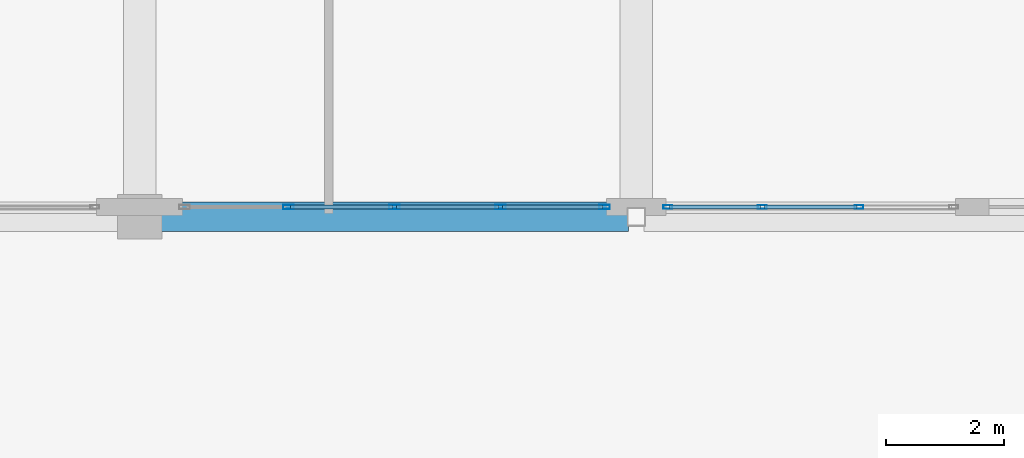
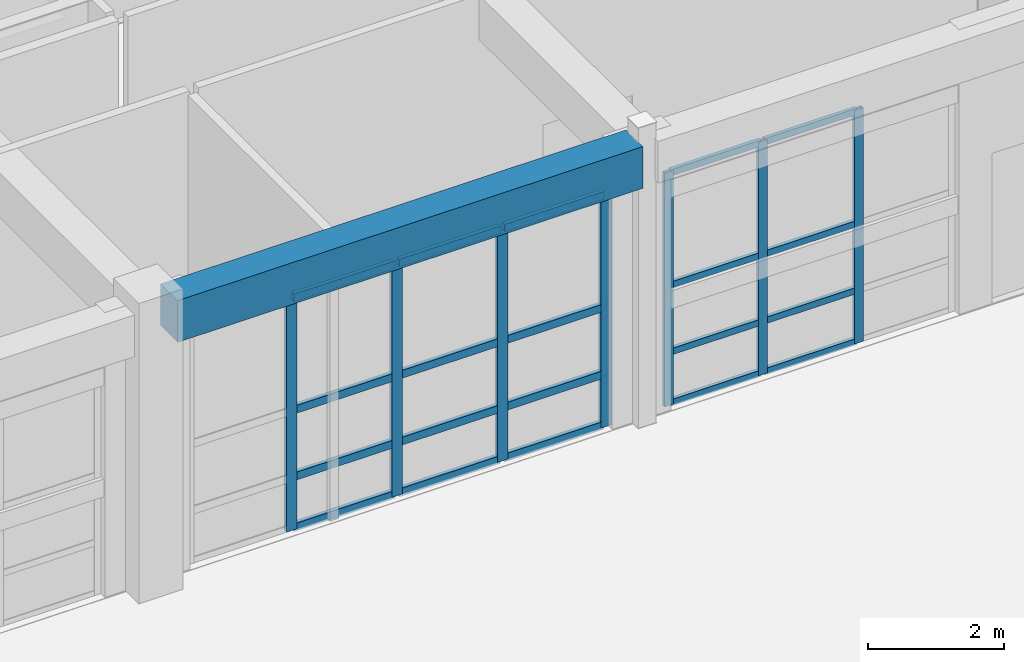
# One storey, part 98 of 148: 27 members, 1 beam, 2 elements without a shape of their own.
"""IFC4 building model written with IfcOpenShell, lengths in metres."""

import ifcopenshell
import ifcopenshell.guid

model = None  # the IFC model being written
_history = None  # IfcOwnerHistory: only IFC2X3 demands one
_inside = {}  # id of a spatial element -> (the spatial element, [elements in it])
_under = {}  # id of a project, library or spatial element -> (it, [spatial elements below it])
_declared = {}  # id of a project -> (the project, [libraries it declares])
_typed = {}  # id of a type object -> (the type object, [elements of that type])
_made_of = {}  # id of a material, layer set ... -> (it, [elements and type objects made of it])


def new_model(schema):
    """Start an empty IFC model of exactly this schema.

    Asked for "IFC4X3", IfcOpenShell would pick the latest addendum, in which some entities
    have other attributes; the version numbers below select the first issue.
    IFC2X3 requires an IfcOwnerHistory on every rooted entity: one is made here for all.
    """
    global model, _history
    if schema == "IFC4X3":
        model = ifcopenshell.file(schema_version=(4, 3, 0, 0))
    else:
        model = ifcopenshell.file(schema=schema)
    _inside.clear()
    _under.clear()
    _declared.clear()
    _typed.clear()
    _made_of.clear()
    _history = None
    if model.schema == "IFC2X3":
        org = make("IfcOrganization", Name="unknown")
        user = make(
            "IfcPersonAndOrganization",
            ThePerson=make("IfcPerson", FamilyName="unknown"),
            TheOrganization=org,
        )
        app = make(
            "IfcApplication",
            ApplicationDeveloper=org,
            Version="unknown",
            ApplicationFullName="unknown",
            ApplicationIdentifier="unknown",
        )
        _history = make(
            "IfcOwnerHistory",
            OwningUser=user,
            OwningApplication=app,
            ChangeAction="ADDED",
            CreationDate=0,
        )
    return model


def make(cls, **values):
    """One entity of the class cls with the attributes given. An attribute that is None is left unset."""
    return model.create_entity(
        cls, **{name: value for name, value in values.items() if value is not None}
    )


def rooted(cls, **values):
    """An entity with a GlobalId (a new one), such as an element, a storey or a relation."""
    return make(cls, GlobalId=ifcopenshell.guid.new(), OwnerHistory=_history, **values)


def si_unit(unit_type, name, prefix=None):
    """IfcSIUnit, for example si_unit("LENGTHUNIT", "METRE", prefix="MILLI")."""
    return make("IfcSIUnit", UnitType=unit_type, Prefix=prefix, Name=name)


def assignment(units):
    """IfcUnitAssignment: the units of a project."""
    return None if units is None else make("IfcUnitAssignment", Units=units)


def point(xyz):
    """IfcCartesianPoint."""
    return None if xyz is None else make("IfcCartesianPoint", Coordinates=xyz)


def direction(xyz):
    """IfcDirection."""
    return None if xyz is None else make("IfcDirection", DirectionRatios=xyz)


def frame(location, z_axis=None, x_axis=None):
    """IfcAxis2Placement3D, a coordinate frame: its origin and axes. An axis left out is left unset."""
    return make(
        "IfcAxis2Placement3D",
        Location=point(location),
        Axis=direction(z_axis),
        RefDirection=direction(x_axis),
    )


def frame_2d(location, x_axis=None):
    """IfcAxis2Placement2D, a coordinate frame in the plane: its origin and x axis."""
    return make(
        "IfcAxis2Placement2D", Location=point(location), RefDirection=direction(x_axis)
    )


def origin():
    """The frame at (0, 0, 0) with its axes left unset."""
    return frame((0.0, 0.0, 0.0))


def origin_2d():
    """The frame at (0, 0) in the plane with its x axis left unset."""
    return frame_2d((0.0, 0.0))


def place(relative_to, where):
    """IfcLocalPlacement: puts the frame where relative to a parent placement (None: the world)."""
    return make(
        "IfcLocalPlacement", PlacementRelTo=relative_to, RelativePlacement=where
    )


def context(
    kind, dimensions, precision=None, world=None, true_north=None, identifier=None
):
    """IfcGeometricRepresentationContext, for example the 3D "Model" context."""
    return make(
        "IfcGeometricRepresentationContext",
        ContextIdentifier=identifier,
        ContextType=kind,
        CoordinateSpaceDimension=dimensions,
        Precision=precision,
        WorldCoordinateSystem=world,
        TrueNorth=true_north,
    )


def subcontext(parent, identifier, kind, view, scale=None):
    """IfcGeometricRepresentationSubContext, for example "Body" below "Model"."""
    return make(
        "IfcGeometricRepresentationSubContext",
        ContextIdentifier=identifier,
        ContextType=kind,
        ParentContext=parent,
        TargetScale=scale,
        TargetView=view,
    )


def project(units=None, contexts=None):
    """IfcProject with its units and contexts."""
    return rooted(
        "IfcProject",
        Name="project",
        RepresentationContexts=contexts,
        UnitsInContext=assignment(units),
    )


def spatial(cls, under=None, at=None, **own):
    """A site, building, storey or space (cls), placed at a placement, below another one or the project."""
    s = rooted(cls, ObjectPlacement=at, **own)
    if under is not None:
        _under.setdefault(under.id(), (under, []))[1].append(s)
    return s


def profile(cls, at=None, kind="AREA", **sizes):
    """A parametric profile (cls). Its sizes go by their IFC names, for example OverallWidth=200.0."""
    return make(cls, ProfileType=kind, Position=at, **sizes)


def rectangle(**sizes):
    """IfcRectangleProfileDef."""
    return profile("IfcRectangleProfileDef", **sizes)


def hollow_rectangle(**sizes):
    """IfcRectangleHollowProfileDef."""
    return profile("IfcRectangleHollowProfileDef", **sizes)


def extrude(swept, where, along, depth):
    """IfcExtrudedAreaSolid: the profile swept, set in the frame where, extruded along a direction by depth."""
    return make(
        "IfcExtrudedAreaSolid",
        SweptArea=swept,
        Position=where,
        ExtrudedDirection=direction(along),
        Depth=depth,
    )


def shape(context_of_items, identifier, shape_type, items):
    """IfcShapeRepresentation: the items that make up one representation, for example the "Body"."""
    return make(
        "IfcShapeRepresentation",
        ContextOfItems=context_of_items,
        RepresentationIdentifier=identifier,
        RepresentationType=shape_type,
        Items=items,
    )


def material(Name=None, Category=None):
    """IfcMaterial."""
    return make("IfcMaterial", Name=Name, Category=Category)


def layer(
    of_material, thickness, ventilated=None, Name=None, Category=None, Priority=None
):
    """IfcMaterialLayer: one layer of a wall or slab, of a material (None: an air gap)."""
    return make(
        "IfcMaterialLayer",
        Material=of_material,
        LayerThickness=thickness,
        IsVentilated=ventilated,
        Name=Name,
        Category=Category,
        Priority=Priority,
    )


def layer_set(layers, Name=None):
    """IfcMaterialLayerSet."""
    return make("IfcMaterialLayerSet", MaterialLayers=layers, LayerSetName=Name)


def material_profile(
    of_material, cross_section, Name=None, Category=None, Priority=None
):
    """IfcMaterialProfile: a cross section and its material."""
    return make(
        "IfcMaterialProfile",
        Name=Name,
        Material=of_material,
        Profile=cross_section,
        Priority=Priority,
        Category=Category,
    )


def profile_set(profiles, Name=None, composite=None):
    """IfcMaterialProfileSet."""
    return make(
        "IfcMaterialProfileSet",
        Name=Name,
        MaterialProfiles=profiles,
        CompositeProfile=composite,
    )


def made_of(thing, what):
    """Note that an element or type object is made of a material, layer set ...; save() writes the relation."""
    if what is not None:
        _made_of.setdefault(what.id(), (what, []))[1].append(thing)
    return thing


def type_object(cls, material=None, **own):
    """A type object (cls), such as IfcWallType, which elements share."""
    return made_of(rooted(cls, **own), material)


def element(
    cls,
    number,
    at=None,
    inside=None,
    cuts=None,
    type_object=None,
    material=None,
    context=None,
    identifier="Body",
    shape_type=None,
    held_by="IfcProductDefinitionShape",
    body=None,
    shapes=None,
    **own,
):
    """One element of the class cls, such as IfcWall. Its Tag is "e" and its number.

    at: its placement. inside: the storey or other place that contains it. cuts: it is an
    opening in that element (IfcRelVoidsElement). A single representation is given by context,
    identifier, shape_type and body (its items); several are given by shapes. held_by: the class
    of the entity that holds the representations. save() writes the other relations.
    """
    e = rooted(cls, Tag="e%d" % number, ObjectPlacement=at, **own)
    if body is not None:
        shapes = [shape(context, identifier, shape_type, body)]
    if shapes is not None:
        e.Representation = make(held_by, Representations=shapes)
    if inside is not None:
        _inside.setdefault(inside.id(), (inside, []))[1].append(e)
    if cuts is not None:
        rooted(
            "IfcRelVoidsElement", RelatingBuildingElement=cuts, RelatedOpeningElement=e
        )
    if type_object is not None:
        _typed.setdefault(type_object.id(), (type_object, []))[1].append(e)
    return made_of(e, material)


def aggregate(whole, parts):
    """IfcRelAggregates: a whole, such as a stair, and the parts it consists of."""
    return rooted("IfcRelAggregates", RelatingObject=whole, RelatedObjects=parts)


def save(model, path):
    """Write the relations noted so far, then the file.

    IfcRelAggregates (storeys below a building ...), IfcRelContainedInSpatialStructure (elements
    in a storey), IfcRelDefinesByType, IfcRelAssociatesMaterial and IfcRelDeclares: one each for
    every whole, place, type object, material and project.
    """
    for whole, parts in _under.values():
        aggregate(whole, parts)
    for where, things in _inside.values():
        rooted(
            "IfcRelContainedInSpatialStructure",
            RelatedElements=things,
            RelatingStructure=where,
        )
    for kind, things in _typed.values():
        rooted("IfcRelDefinesByType", RelatedObjects=things, RelatingType=kind)
    for what, things in _made_of.values():
        rooted("IfcRelAssociatesMaterial", RelatedObjects=things, RelatingMaterial=what)
    for by, libraries in _declared.values():
        rooted("IfcRelDeclares", RelatingContext=by, RelatedDefinitions=libraries)
    model.write(path)


model = new_model("IFC4")

# Units and contexts
model_context = context("Model", 3, precision=1e-05, world=origin(), true_north=direction((0.0, 1.0)))
body_context = subcontext(model_context, "Body", "Model", "MODEL_VIEW")
ifc_project = project(units=[si_unit("LENGTHUNIT", "METRE"), si_unit("AREAUNIT", "SQUARE_METRE"), si_unit("VOLUMEUNIT", "CUBIC_METRE"), si_unit("PLANEANGLEUNIT", "RADIAN"), si_unit("MASSUNIT", "GRAM", prefix="KILO")], contexts=[model_context])

# Site, building, storey
site_placement = place(None, origin())
site = spatial("IfcSite", under=ifc_project, at=site_placement, CompositionType="ELEMENT")
building_placement = place(site_placement, origin())
building = spatial("IfcBuilding", under=site, at=building_placement, Name="Quendrovan Civic Courthouse", CompositionType="ELEMENT")
storey_placement = place(building_placement, origin())
storey = spatial("IfcBuildingStorey", under=building, at=storey_placement, Name="L01", CompositionType="ELEMENT", Elevation=0.0)

# Beam
ifc_material_1 = material(Name="Concrete C40/50", Category="concrete")
ifc_material_profile_1 = material_profile(ifc_material_1, rectangle(XDim=0.5, YDim=0.75, at=origin_2d()), Name="RC-BM-500x750")
ifc_profile_set_1 = profile_set([ifc_material_profile_1], Name="Concrete C40/50")
beam_type = type_object("IfcBeamType", Name="BM-RC750", PredefinedType="SPANDREL", material=ifc_profile_set_1)
beam_placement = place(storey_placement, frame((143.155029296875, 87.60009765625, 4.7451171875), z_axis=(1.0, 0.0, 0.0), x_axis=(0.0, 1.0, 0.0)))
element("IfcBeam", 1, at=beam_placement, inside=storey, type_object=beam_type, Name="L01 Girder X0329", PredefinedType="SPANDREL", context=body_context, shape_type="SweptSolid", body=[
    extrude(rectangle(XDim=0.5, YDim=0.75, at=origin_2d()), origin(), (0.0, 0.0, 1.0), 7.9150390625),
])

# Curtain wall, members
ifc_material_2 = material(Name="Bronze anodised aluminium and low-E glass", Category="aluminium")
ifc_layer_1 = layer(ifc_material_2, 0.179931640625, Name="Bronze anodised aluminium and low-E glass")
ifc_layer_set_1 = layer_set([ifc_layer_1], Name="Bronze anodised aluminium and low-E glass")
curtain_wall_type_1 = type_object("IfcCurtainWallType", Name="CW-U72x42", PredefinedType="USERDEFINED", material=ifc_layer_set_1)
curtain_wall_1_placement = place(storey_placement, origin())
curtain_wall_1 = element("IfcCurtainWall", 2, at=curtain_wall_1_placement, inside=storey, type_object=curtain_wall_type_1, Name="L01 Unitised Hurricane Curtain Wall CW-044", ObjectType="UNITISED CURTAIN WALL", PredefinedType="USERDEFINED")
ifc_material_3 = material(Name="Bronze anodised aluminium", Category="aluminium")
ifc_material_profile_2 = material_profile(ifc_material_3, hollow_rectangle(XDim=0.070068359375, YDim=0.179931640625, WallThickness=0.00390625, at=origin_2d()), Name="CW-MULL-70x180")
ifc_profile_set_2 = profile_set([ifc_material_profile_2], Name="Bronze anodised aluminium")
member_type_1 = type_object("IfcMemberType", Name="CW-MULL-A", PredefinedType="MULLION", material=ifc_profile_set_2)
member_1_placement = place(storey_placement, frame((150.6650390625, 87.764892578125, 0.0), z_axis=(0.0, 0.0, 1.0), x_axis=(0.0, -1.0, 0.0)))
member_1 = element("IfcMember", 3, at=member_1_placement, type_object=member_type_1, Name="CW-044 mullion 1", PredefinedType="MULLION", context=body_context, shape_type="SweptSolid", body=[
    extrude(hollow_rectangle(XDim=0.070068359375, YDim=0.179931640625, WallThickness=0.00390625, at=origin_2d()), origin(), (0.0, 0.0, 1.0), 4.199951171875),
])
member_2_placement = place(storey_placement, frame((148.90625, 87.764892578125, 0.0), z_axis=(0.0, 0.0, 1.0), x_axis=(0.0, -1.0, 0.0)))
member_2 = element("IfcMember", 4, at=member_2_placement, type_object=member_type_1, Name="CW-044 mullion 2", PredefinedType="MULLION", context=body_context, shape_type="SweptSolid", body=[
    extrude(hollow_rectangle(XDim=0.070068359375, YDim=0.179931640625, WallThickness=0.00390625, at=origin_2d()), origin(), (0.0, 0.0, 1.0), 4.199951171875),
])
member_3_placement = place(storey_placement, frame((147.112548828125, 87.764892578125, 0.0), z_axis=(0.0, 0.0, 1.0), x_axis=(0.0, -1.0, 0.0)))
member_3 = element("IfcMember", 5, at=member_3_placement, type_object=member_type_1, Name="CW-044 mullion 3", PredefinedType="MULLION", context=body_context, shape_type="SweptSolid", body=[
    extrude(hollow_rectangle(XDim=0.070068359375, YDim=0.179931640625, WallThickness=0.00390625, at=origin_2d()), origin(), (0.0, 0.0, 1.0), 4.199951171875),
])
member_4_placement = place(storey_placement, frame((145.31884765625, 87.764892578125, 0.0), z_axis=(0.0, 0.0, 1.0), x_axis=(0.0, -1.0, 0.0)))
member_4 = element("IfcMember", 6, at=member_4_placement, type_object=member_type_1, Name="CW-044 mullion 4", PredefinedType="MULLION", context=body_context, shape_type="SweptSolid", body=[
    extrude(hollow_rectangle(XDim=0.070068359375, YDim=0.179931640625, WallThickness=0.00390625, at=origin_2d()), origin(), (0.0, 0.0, 1.0), 4.199951171875),
])

ifc_layer_2 = layer(ifc_material_2, 0.179931640625, Name="Bronze anodised aluminium and low-E glass")
ifc_layer_set_2 = layer_set([ifc_layer_2], Name="Bronze anodised aluminium and low-E glass")
curtain_wall_type_2 = type_object("IfcCurtainWallType", Name="CW-U49x42", PredefinedType="USERDEFINED", material=ifc_layer_set_2)
curtain_wall_2_placement = place(storey_placement, origin())
curtain_wall_2 = element("IfcCurtainWall", 7, at=curtain_wall_2_placement, inside=storey, type_object=curtain_wall_type_2, Name="L01 Unitised Hurricane Curtain Wall CW-043", ObjectType="UNITISED CURTAIN WALL", PredefinedType="USERDEFINED")
ifc_material_profile_3 = material_profile(ifc_material_3, hollow_rectangle(XDim=0.06494140625, YDim=0.14990234375, WallThickness=0.00390625, at=origin_2d()), Name="CW-MULL-65x150")
ifc_profile_set_3 = profile_set([ifc_material_profile_3], Name="Bronze anodised aluminium")
member_type_2 = type_object("IfcMemberType", Name="CW-MULL-B", PredefinedType="MULLION", material=ifc_profile_set_3)
member_5_placement = place(storey_placement, frame((154.966552734375, 87.764892578125, 0.0), z_axis=(0.0, 0.0, 1.0), x_axis=(0.0, -1.0, 0.0)))
member_5 = element("IfcMember", 8, at=member_5_placement, type_object=member_type_2, Name="CW-043 mullion 2", PredefinedType="MULLION", context=body_context, shape_type="SweptSolid", body=[
    extrude(hollow_rectangle(XDim=0.06494140625, YDim=0.14990234375, WallThickness=0.00390625, at=origin_2d()), origin(), (0.0, 0.0, 1.0), 4.199951171875),
])
member_6_placement = place(storey_placement, frame((153.333251953125, 87.764892578125, 0.0), z_axis=(0.0, 0.0, 1.0), x_axis=(0.0, -1.0, 0.0)))
member_6 = element("IfcMember", 9, at=member_6_placement, type_object=member_type_2, Name="CW-043 mullion 3", PredefinedType="MULLION", context=body_context, shape_type="SweptSolid", body=[
    extrude(hollow_rectangle(XDim=0.06494140625, YDim=0.14990234375, WallThickness=0.00390625, at=origin_2d()), origin(), (0.0, 0.0, 1.0), 4.199951171875),
])
member_7_placement = place(storey_placement, frame((151.732421875, 87.764892578125, 0.0), z_axis=(0.0, 0.0, 1.0), x_axis=(0.0, -1.0, 0.0)))
member_7 = element("IfcMember", 10, at=member_7_placement, type_object=member_type_2, Name="CW-043 mullion 4", PredefinedType="MULLION", context=body_context, shape_type="SweptSolid", body=[
    extrude(hollow_rectangle(XDim=0.06494140625, YDim=0.14990234375, WallThickness=0.00390625, at=origin_2d()), origin(), (0.0, 0.0, 1.0), 4.199951171875),
])

# Member
ifc_material_profile_4 = material_profile(ifc_material_3, hollow_rectangle(XDim=0.070068359375, YDim=0.139892578125, WallThickness=0.00390625, at=origin_2d()), Name="CW-TRAN-70x140")
ifc_profile_set_4 = profile_set([ifc_material_profile_4], Name="Bronze anodised aluminium")
member_type_3 = type_object("IfcMemberType", Name="CW-TRAN-A", PredefinedType="USERDEFINED", material=ifc_profile_set_4)
member_8_placement = place(storey_placement, frame((150.6298828125, 87.764892578125, 0.034912109375), z_axis=(-1.0, 0.0, 0.0), x_axis=(0.0, -1.0, 0.0)))
member_8 = element("IfcMember", 11, at=member_8_placement, type_object=member_type_3, Name="CW-044 transom 1.1", ObjectType="TRANSOM", PredefinedType="USERDEFINED", context=body_context, shape_type="SweptSolid", body=[
    extrude(hollow_rectangle(XDim=0.070068359375, YDim=0.139892578125, WallThickness=0.00390625, at=origin_2d()), origin(), (0.0, 0.0, 1.0), 1.688720703125),
])

member_9_placement = place(storey_placement, frame((150.6298828125, 87.764892578125, 0.949951171875), z_axis=(-1.0, 0.0, 0.0), x_axis=(0.0, -1.0, 0.0)))
member_9 = element("IfcMember", 12, at=member_9_placement, type_object=member_type_3, Name="CW-044 transom 1.2", ObjectType="TRANSOM", PredefinedType="USERDEFINED", context=body_context, shape_type="SweptSolid", body=[
    extrude(hollow_rectangle(XDim=0.070068359375, YDim=0.139892578125, WallThickness=0.00390625, at=origin_2d()), origin(), (0.0, 0.0, 1.0), 1.688720703125),
])

member_10_placement = place(storey_placement, frame((150.6298828125, 87.764892578125, 2.14990234375), z_axis=(-1.0, 0.0, 0.0), x_axis=(0.0, -1.0, 0.0)))
member_10 = element("IfcMember", 13, at=member_10_placement, type_object=member_type_3, Name="CW-044 transom 1.3", ObjectType="TRANSOM", PredefinedType="USERDEFINED", context=body_context, shape_type="SweptSolid", body=[
    extrude(hollow_rectangle(XDim=0.070068359375, YDim=0.139892578125, WallThickness=0.00390625, at=origin_2d()), origin(), (0.0, 0.0, 1.0), 1.688720703125),
])

member_11_placement = place(storey_placement, frame((150.6298828125, 87.764892578125, 4.1650390625), z_axis=(-1.0, 0.0, 0.0), x_axis=(0.0, -1.0, 0.0)))
member_11 = element("IfcMember", 14, at=member_11_placement, type_object=member_type_3, Name="CW-044 transom 1.4", ObjectType="TRANSOM", PredefinedType="USERDEFINED", context=body_context, shape_type="SweptSolid", body=[
    extrude(hollow_rectangle(XDim=0.070068359375, YDim=0.139892578125, WallThickness=0.00390625, at=origin_2d()), origin(), (0.0, 0.0, 1.0), 1.688720703125),
])

member_12_placement = place(storey_placement, frame((148.871337890625, 87.764892578125, 0.034912109375), z_axis=(-1.0, 0.0, 0.0), x_axis=(0.0, -1.0, 0.0)))
member_12 = element("IfcMember", 15, at=member_12_placement, type_object=member_type_3, Name="CW-044 transom 2.1", ObjectType="TRANSOM", PredefinedType="USERDEFINED", context=body_context, shape_type="SweptSolid", body=[
    extrude(hollow_rectangle(XDim=0.070068359375, YDim=0.139892578125, WallThickness=0.00390625, at=origin_2d()), origin(), (0.0, 0.0, 1.0), 1.723876953125),
])

member_13_placement = place(storey_placement, frame((148.871337890625, 87.764892578125, 0.949951171875), z_axis=(-1.0, 0.0, 0.0), x_axis=(0.0, -1.0, 0.0)))
member_13 = element("IfcMember", 16, at=member_13_placement, type_object=member_type_3, Name="CW-044 transom 2.2", ObjectType="TRANSOM", PredefinedType="USERDEFINED", context=body_context, shape_type="SweptSolid", body=[
    extrude(hollow_rectangle(XDim=0.070068359375, YDim=0.139892578125, WallThickness=0.00390625, at=origin_2d()), origin(), (0.0, 0.0, 1.0), 1.723876953125),
])

member_14_placement = place(storey_placement, frame((148.871337890625, 87.764892578125, 2.14990234375), z_axis=(-1.0, 0.0, 0.0), x_axis=(0.0, -1.0, 0.0)))
member_14 = element("IfcMember", 17, at=member_14_placement, type_object=member_type_3, Name="CW-044 transom 2.3", ObjectType="TRANSOM", PredefinedType="USERDEFINED", context=body_context, shape_type="SweptSolid", body=[
    extrude(hollow_rectangle(XDim=0.070068359375, YDim=0.139892578125, WallThickness=0.00390625, at=origin_2d()), origin(), (0.0, 0.0, 1.0), 1.723876953125),
])

member_15_placement = place(storey_placement, frame((148.871337890625, 87.764892578125, 4.1650390625), z_axis=(-1.0, 0.0, 0.0), x_axis=(0.0, -1.0, 0.0)))
member_15 = element("IfcMember", 18, at=member_15_placement, type_object=member_type_3, Name="CW-044 transom 2.4", ObjectType="TRANSOM", PredefinedType="USERDEFINED", context=body_context, shape_type="SweptSolid", body=[
    extrude(hollow_rectangle(XDim=0.070068359375, YDim=0.139892578125, WallThickness=0.00390625, at=origin_2d()), origin(), (0.0, 0.0, 1.0), 1.723876953125),
])

member_16_placement = place(storey_placement, frame((147.077392578125, 87.764892578125, 0.034912109375), z_axis=(-1.0, 0.0, 0.0), x_axis=(0.0, -1.0, 0.0)))
member_16 = element("IfcMember", 19, at=member_16_placement, type_object=member_type_3, Name="CW-044 transom 3.1", ObjectType="TRANSOM", PredefinedType="USERDEFINED", context=body_context, shape_type="SweptSolid", body=[
    extrude(hollow_rectangle(XDim=0.070068359375, YDim=0.139892578125, WallThickness=0.00390625, at=origin_2d()), origin(), (0.0, 0.0, 1.0), 1.7236328125),
])

member_17_placement = place(storey_placement, frame((147.077392578125, 87.764892578125, 0.949951171875), z_axis=(-1.0, 0.0, 0.0), x_axis=(0.0, -1.0, 0.0)))
member_17 = element("IfcMember", 20, at=member_17_placement, type_object=member_type_3, Name="CW-044 transom 3.2", ObjectType="TRANSOM", PredefinedType="USERDEFINED", context=body_context, shape_type="SweptSolid", body=[
    extrude(hollow_rectangle(XDim=0.070068359375, YDim=0.139892578125, WallThickness=0.00390625, at=origin_2d()), origin(), (0.0, 0.0, 1.0), 1.7236328125),
])

member_18_placement = place(storey_placement, frame((147.077392578125, 87.764892578125, 2.14990234375), z_axis=(-1.0, 0.0, 0.0), x_axis=(0.0, -1.0, 0.0)))
member_18 = element("IfcMember", 21, at=member_18_placement, type_object=member_type_3, Name="CW-044 transom 3.3", ObjectType="TRANSOM", PredefinedType="USERDEFINED", context=body_context, shape_type="SweptSolid", body=[
    extrude(hollow_rectangle(XDim=0.070068359375, YDim=0.139892578125, WallThickness=0.00390625, at=origin_2d()), origin(), (0.0, 0.0, 1.0), 1.7236328125),
])

member_19_placement = place(storey_placement, frame((147.077392578125, 87.764892578125, 4.1650390625), z_axis=(-1.0, 0.0, 0.0), x_axis=(0.0, -1.0, 0.0)))
member_19 = element("IfcMember", 22, at=member_19_placement, type_object=member_type_3, Name="CW-044 transom 3.4", ObjectType="TRANSOM", PredefinedType="USERDEFINED", context=body_context, shape_type="SweptSolid", body=[
    extrude(hollow_rectangle(XDim=0.070068359375, YDim=0.139892578125, WallThickness=0.00390625, at=origin_2d()), origin(), (0.0, 0.0, 1.0), 1.7236328125),
])

aggregate(curtain_wall_1, [member_1, member_2, member_3, member_4, member_8, member_9, member_10, member_11, member_12, member_13, member_14, member_15, member_16, member_17, member_18, member_19])

ifc_material_profile_5 = material_profile(ifc_material_3, hollow_rectangle(XDim=0.06494140625, YDim=0.114990234375, WallThickness=0.00390625, at=origin_2d()), Name="CW-TRAN-65x115")
ifc_profile_set_5 = profile_set([ifc_material_profile_5], Name="Bronze anodised aluminium")
member_type_4 = type_object("IfcMemberType", Name="CW-TRAN-B", PredefinedType="USERDEFINED", material=ifc_profile_set_5)
member_20_placement = place(storey_placement, frame((154.93408203125, 87.764892578125, 0.032470703125), z_axis=(-1.0, 0.0, 0.0), x_axis=(0.0, -1.0, 0.0)))
member_20 = element("IfcMember", 23, at=member_20_placement, type_object=member_type_4, Name="CW-043 transom 2.1", ObjectType="TRANSOM", PredefinedType="USERDEFINED", context=body_context, shape_type="SweptSolid", body=[
    extrude(hollow_rectangle(XDim=0.06494140625, YDim=0.114990234375, WallThickness=0.00390625, at=origin_2d()), origin(), (0.0, 0.0, 1.0), 1.568359375),
])

member_21_placement = place(storey_placement, frame((154.93408203125, 87.764892578125, 0.949951171875), z_axis=(-1.0, 0.0, 0.0), x_axis=(0.0, -1.0, 0.0)))
member_21 = element("IfcMember", 24, at=member_21_placement, type_object=member_type_4, Name="CW-043 transom 2.2", ObjectType="TRANSOM", PredefinedType="USERDEFINED", context=body_context, shape_type="SweptSolid", body=[
    extrude(hollow_rectangle(XDim=0.06494140625, YDim=0.114990234375, WallThickness=0.00390625, at=origin_2d()), origin(), (0.0, 0.0, 1.0), 1.568359375),
])

member_22_placement = place(storey_placement, frame((154.93408203125, 87.764892578125, 2.14990234375), z_axis=(-1.0, 0.0, 0.0), x_axis=(0.0, -1.0, 0.0)))
member_22 = element("IfcMember", 25, at=member_22_placement, type_object=member_type_4, Name="CW-043 transom 2.3", ObjectType="TRANSOM", PredefinedType="USERDEFINED", context=body_context, shape_type="SweptSolid", body=[
    extrude(hollow_rectangle(XDim=0.06494140625, YDim=0.114990234375, WallThickness=0.00390625, at=origin_2d()), origin(), (0.0, 0.0, 1.0), 1.568359375),
])

member_23_placement = place(storey_placement, frame((154.93408203125, 87.764892578125, 4.16748046875), z_axis=(-1.0, 0.0, 0.0), x_axis=(0.0, -1.0, 0.0)))
member_23 = element("IfcMember", 26, at=member_23_placement, type_object=member_type_4, Name="CW-043 transom 2.4", ObjectType="TRANSOM", PredefinedType="USERDEFINED", context=body_context, shape_type="SweptSolid", body=[
    extrude(hollow_rectangle(XDim=0.06494140625, YDim=0.114990234375, WallThickness=0.00390625, at=origin_2d()), origin(), (0.0, 0.0, 1.0), 1.568359375),
])

member_24_placement = place(storey_placement, frame((153.30078125, 87.764892578125, 0.032470703125), z_axis=(-1.0, 0.0, 0.0), x_axis=(0.0, -1.0, 0.0)))
member_24 = element("IfcMember", 27, at=member_24_placement, type_object=member_type_4, Name="CW-043 transom 3.1", ObjectType="TRANSOM", PredefinedType="USERDEFINED", context=body_context, shape_type="SweptSolid", body=[
    extrude(hollow_rectangle(XDim=0.06494140625, YDim=0.114990234375, WallThickness=0.00390625, at=origin_2d()), origin(), (0.0, 0.0, 1.0), 1.535888671875),
])

member_25_placement = place(storey_placement, frame((153.30078125, 87.764892578125, 0.949951171875), z_axis=(-1.0, 0.0, 0.0), x_axis=(0.0, -1.0, 0.0)))
member_25 = element("IfcMember", 28, at=member_25_placement, type_object=member_type_4, Name="CW-043 transom 3.2", ObjectType="TRANSOM", PredefinedType="USERDEFINED", context=body_context, shape_type="SweptSolid", body=[
    extrude(hollow_rectangle(XDim=0.06494140625, YDim=0.114990234375, WallThickness=0.00390625, at=origin_2d()), origin(), (0.0, 0.0, 1.0), 1.535888671875),
])

member_26_placement = place(storey_placement, frame((153.30078125, 87.764892578125, 2.14990234375), z_axis=(-1.0, 0.0, 0.0), x_axis=(0.0, -1.0, 0.0)))
member_26 = element("IfcMember", 29, at=member_26_placement, type_object=member_type_4, Name="CW-043 transom 3.3", ObjectType="TRANSOM", PredefinedType="USERDEFINED", context=body_context, shape_type="SweptSolid", body=[
    extrude(hollow_rectangle(XDim=0.06494140625, YDim=0.114990234375, WallThickness=0.00390625, at=origin_2d()), origin(), (0.0, 0.0, 1.0), 1.535888671875),
])

member_27_placement = place(storey_placement, frame((153.30078125, 87.764892578125, 4.16748046875), z_axis=(-1.0, 0.0, 0.0), x_axis=(0.0, -1.0, 0.0)))
member_27 = element("IfcMember", 30, at=member_27_placement, type_object=member_type_4, Name="CW-043 transom 3.4", ObjectType="TRANSOM", PredefinedType="USERDEFINED", context=body_context, shape_type="SweptSolid", body=[
    extrude(hollow_rectangle(XDim=0.06494140625, YDim=0.114990234375, WallThickness=0.00390625, at=origin_2d()), origin(), (0.0, 0.0, 1.0), 1.535888671875),
])

aggregate(curtain_wall_2, [member_5, member_6, member_7, member_20, member_21, member_22, member_23, member_24, member_25, member_26, member_27])

save(model, "model.ifc")
